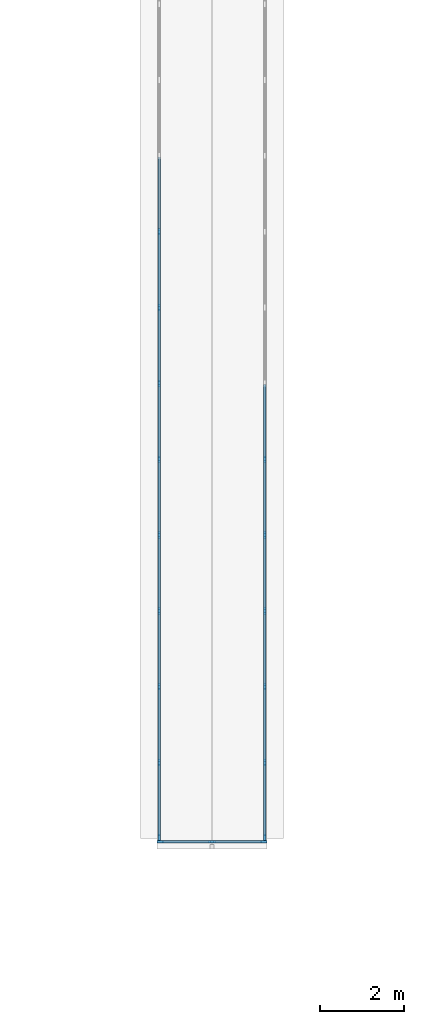
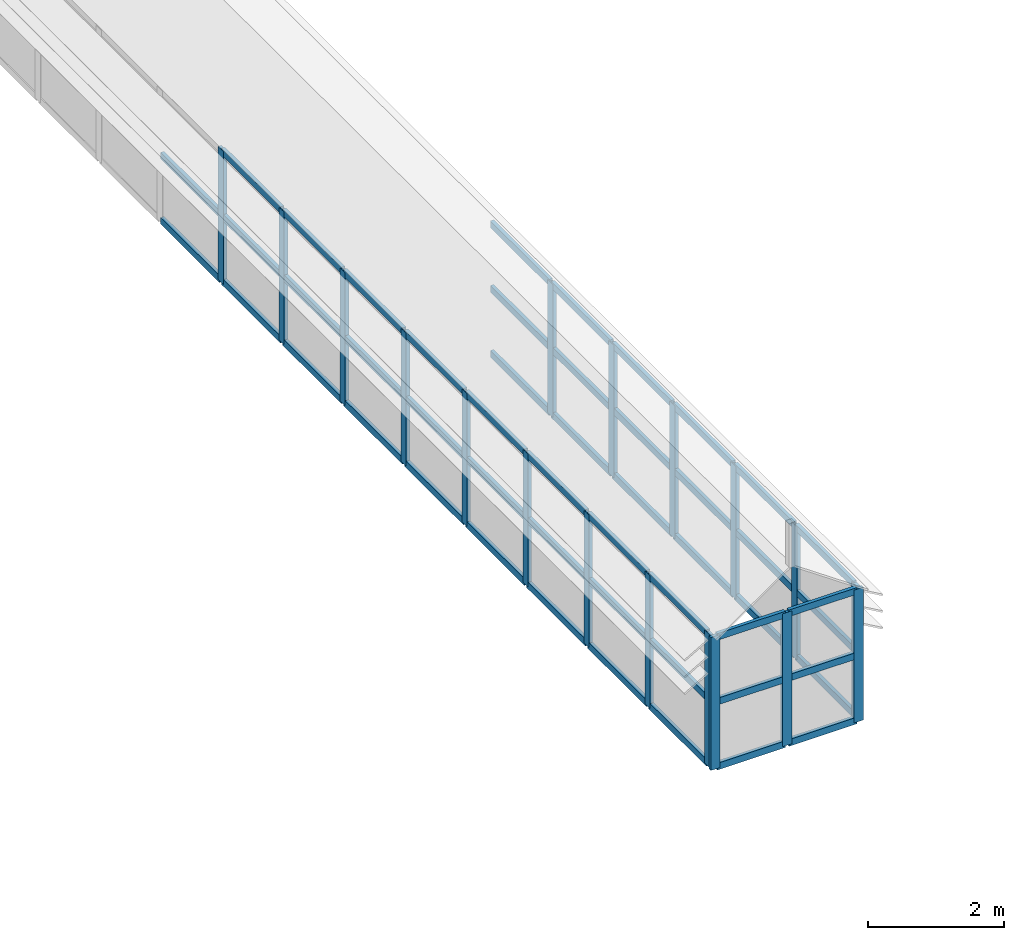
# One storey, part 4 of 28: 68 members, 3 elements without a shape of their own.
"""IFC4 building model written with IfcOpenShell, lengths in metres."""

import ifcopenshell
import ifcopenshell.guid

model = None  # the IFC model being written
_history = None  # IfcOwnerHistory: only IFC2X3 demands one
_inside = {}  # id of a spatial element -> (the spatial element, [elements in it])
_under = {}  # id of a project, library or spatial element -> (it, [spatial elements below it])
_declared = {}  # id of a project -> (the project, [libraries it declares])
_typed = {}  # id of a type object -> (the type object, [elements of that type])
_made_of = {}  # id of a material, layer set ... -> (it, [elements and type objects made of it])


def new_model(schema):
    """Start an empty IFC model of exactly this schema.

    Asked for "IFC4X3", IfcOpenShell would pick the latest addendum, in which some entities
    have other attributes; the version numbers below select the first issue.
    IFC2X3 requires an IfcOwnerHistory on every rooted entity: one is made here for all.
    """
    global model, _history
    if schema == "IFC4X3":
        model = ifcopenshell.file(schema_version=(4, 3, 0, 0))
    else:
        model = ifcopenshell.file(schema=schema)
    _inside.clear()
    _under.clear()
    _declared.clear()
    _typed.clear()
    _made_of.clear()
    _history = None
    if model.schema == "IFC2X3":
        org = make("IfcOrganization", Name="unknown")
        user = make(
            "IfcPersonAndOrganization",
            ThePerson=make("IfcPerson", FamilyName="unknown"),
            TheOrganization=org,
        )
        app = make(
            "IfcApplication",
            ApplicationDeveloper=org,
            Version="unknown",
            ApplicationFullName="unknown",
            ApplicationIdentifier="unknown",
        )
        _history = make(
            "IfcOwnerHistory",
            OwningUser=user,
            OwningApplication=app,
            ChangeAction="ADDED",
            CreationDate=0,
        )
    return model


def make(cls, **values):
    """One entity of the class cls with the attributes given. An attribute that is None is left unset."""
    return model.create_entity(
        cls, **{name: value for name, value in values.items() if value is not None}
    )


def rooted(cls, **values):
    """An entity with a GlobalId (a new one), such as an element, a storey or a relation."""
    return make(cls, GlobalId=ifcopenshell.guid.new(), OwnerHistory=_history, **values)


def si_unit(unit_type, name, prefix=None):
    """IfcSIUnit, for example si_unit("LENGTHUNIT", "METRE", prefix="MILLI")."""
    return make("IfcSIUnit", UnitType=unit_type, Prefix=prefix, Name=name)


def assignment(units):
    """IfcUnitAssignment: the units of a project."""
    return None if units is None else make("IfcUnitAssignment", Units=units)


def point(xyz):
    """IfcCartesianPoint."""
    return None if xyz is None else make("IfcCartesianPoint", Coordinates=xyz)


def direction(xyz):
    """IfcDirection."""
    return None if xyz is None else make("IfcDirection", DirectionRatios=xyz)


def frame(location, z_axis=None, x_axis=None):
    """IfcAxis2Placement3D, a coordinate frame: its origin and axes. An axis left out is left unset."""
    return make(
        "IfcAxis2Placement3D",
        Location=point(location),
        Axis=direction(z_axis),
        RefDirection=direction(x_axis),
    )


def frame_2d(location, x_axis=None):
    """IfcAxis2Placement2D, a coordinate frame in the plane: its origin and x axis."""
    return make(
        "IfcAxis2Placement2D", Location=point(location), RefDirection=direction(x_axis)
    )


def origin():
    """The frame at (0, 0, 0) with its axes left unset."""
    return frame((0.0, 0.0, 0.0))


def origin_2d():
    """The frame at (0, 0) in the plane with its x axis left unset."""
    return frame_2d((0.0, 0.0))


def place(relative_to, where):
    """IfcLocalPlacement: puts the frame where relative to a parent placement (None: the world)."""
    return make(
        "IfcLocalPlacement", PlacementRelTo=relative_to, RelativePlacement=where
    )


def context(
    kind, dimensions, precision=None, world=None, true_north=None, identifier=None
):
    """IfcGeometricRepresentationContext, for example the 3D "Model" context."""
    return make(
        "IfcGeometricRepresentationContext",
        ContextIdentifier=identifier,
        ContextType=kind,
        CoordinateSpaceDimension=dimensions,
        Precision=precision,
        WorldCoordinateSystem=world,
        TrueNorth=true_north,
    )


def subcontext(parent, identifier, kind, view, scale=None):
    """IfcGeometricRepresentationSubContext, for example "Body" below "Model"."""
    return make(
        "IfcGeometricRepresentationSubContext",
        ContextIdentifier=identifier,
        ContextType=kind,
        ParentContext=parent,
        TargetScale=scale,
        TargetView=view,
    )


def project(units=None, contexts=None):
    """IfcProject with its units and contexts."""
    return rooted(
        "IfcProject",
        Name="project",
        RepresentationContexts=contexts,
        UnitsInContext=assignment(units),
    )


def spatial(cls, under=None, at=None, **own):
    """A site, building, storey or space (cls), placed at a placement, below another one or the project."""
    s = rooted(cls, ObjectPlacement=at, **own)
    if under is not None:
        _under.setdefault(under.id(), (under, []))[1].append(s)
    return s


def profile(cls, at=None, kind="AREA", **sizes):
    """A parametric profile (cls). Its sizes go by their IFC names, for example OverallWidth=200.0."""
    return make(cls, ProfileType=kind, Position=at, **sizes)


def rectangle(**sizes):
    """IfcRectangleProfileDef."""
    return profile("IfcRectangleProfileDef", **sizes)


def extrude(swept, where, along, depth):
    """IfcExtrudedAreaSolid: the profile swept, set in the frame where, extruded along a direction by depth."""
    return make(
        "IfcExtrudedAreaSolid",
        SweptArea=swept,
        Position=where,
        ExtrudedDirection=direction(along),
        Depth=depth,
    )


def shape(context_of_items, identifier, shape_type, items):
    """IfcShapeRepresentation: the items that make up one representation, for example the "Body"."""
    return make(
        "IfcShapeRepresentation",
        ContextOfItems=context_of_items,
        RepresentationIdentifier=identifier,
        RepresentationType=shape_type,
        Items=items,
    )


def material(Name=None, Category=None):
    """IfcMaterial."""
    return make("IfcMaterial", Name=Name, Category=Category)


def layer(
    of_material, thickness, ventilated=None, Name=None, Category=None, Priority=None
):
    """IfcMaterialLayer: one layer of a wall or slab, of a material (None: an air gap)."""
    return make(
        "IfcMaterialLayer",
        Material=of_material,
        LayerThickness=thickness,
        IsVentilated=ventilated,
        Name=Name,
        Category=Category,
        Priority=Priority,
    )


def layer_set(layers, Name=None):
    """IfcMaterialLayerSet."""
    return make("IfcMaterialLayerSet", MaterialLayers=layers, LayerSetName=Name)


def material_profile(
    of_material, cross_section, Name=None, Category=None, Priority=None
):
    """IfcMaterialProfile: a cross section and its material."""
    return make(
        "IfcMaterialProfile",
        Name=Name,
        Material=of_material,
        Profile=cross_section,
        Priority=Priority,
        Category=Category,
    )


def profile_set(profiles, Name=None, composite=None):
    """IfcMaterialProfileSet."""
    return make(
        "IfcMaterialProfileSet",
        Name=Name,
        MaterialProfiles=profiles,
        CompositeProfile=composite,
    )


def made_of(thing, what):
    """Note that an element or type object is made of a material, layer set ...; save() writes the relation."""
    if what is not None:
        _made_of.setdefault(what.id(), (what, []))[1].append(thing)
    return thing


def type_object(cls, material=None, **own):
    """A type object (cls), such as IfcWallType, which elements share."""
    return made_of(rooted(cls, **own), material)


def element(
    cls,
    number,
    at=None,
    inside=None,
    cuts=None,
    type_object=None,
    material=None,
    context=None,
    identifier="Body",
    shape_type=None,
    held_by="IfcProductDefinitionShape",
    body=None,
    shapes=None,
    **own,
):
    """One element of the class cls, such as IfcWall. Its Tag is "e" and its number.

    at: its placement. inside: the storey or other place that contains it. cuts: it is an
    opening in that element (IfcRelVoidsElement). A single representation is given by context,
    identifier, shape_type and body (its items); several are given by shapes. held_by: the class
    of the entity that holds the representations. save() writes the other relations.
    """
    e = rooted(cls, Tag="e%d" % number, ObjectPlacement=at, **own)
    if body is not None:
        shapes = [shape(context, identifier, shape_type, body)]
    if shapes is not None:
        e.Representation = make(held_by, Representations=shapes)
    if inside is not None:
        _inside.setdefault(inside.id(), (inside, []))[1].append(e)
    if cuts is not None:
        rooted(
            "IfcRelVoidsElement", RelatingBuildingElement=cuts, RelatedOpeningElement=e
        )
    if type_object is not None:
        _typed.setdefault(type_object.id(), (type_object, []))[1].append(e)
    return made_of(e, material)


def aggregate(whole, parts):
    """IfcRelAggregates: a whole, such as a stair, and the parts it consists of."""
    return rooted("IfcRelAggregates", RelatingObject=whole, RelatedObjects=parts)


def save(model, path):
    """Write the relations noted so far, then the file.

    IfcRelAggregates (storeys below a building ...), IfcRelContainedInSpatialStructure (elements
    in a storey), IfcRelDefinesByType, IfcRelAssociatesMaterial and IfcRelDeclares: one each for
    every whole, place, type object, material and project.
    """
    for whole, parts in _under.values():
        aggregate(whole, parts)
    for where, things in _inside.values():
        rooted(
            "IfcRelContainedInSpatialStructure",
            RelatedElements=things,
            RelatingStructure=where,
        )
    for kind, things in _typed.values():
        rooted("IfcRelDefinesByType", RelatedObjects=things, RelatingType=kind)
    for what, things in _made_of.values():
        rooted("IfcRelAssociatesMaterial", RelatedObjects=things, RelatingMaterial=what)
    for by, libraries in _declared.values():
        rooted("IfcRelDeclares", RelatingContext=by, RelatedDefinitions=libraries)
    model.write(path)


model = new_model("IFC4")

# Units and contexts
model_context = context("Model", 3, precision=1e-05, world=origin(), true_north=direction((0.0, 1.0)))
body_context = subcontext(model_context, "Body", "Model", "MODEL_VIEW")
ifc_project = project(units=[si_unit("LENGTHUNIT", "METRE"), si_unit("AREAUNIT", "SQUARE_METRE"), si_unit("VOLUMEUNIT", "CUBIC_METRE"), si_unit("PLANEANGLEUNIT", "RADIAN"), si_unit("MASSUNIT", "GRAM", prefix="KILO")], contexts=[model_context])

# Site, building, storey
site_placement = place(None, origin())
site = spatial("IfcSite", under=ifc_project, at=site_placement, CompositionType="ELEMENT")
building_placement = place(site_placement, origin())
building = spatial("IfcBuilding", under=site, at=building_placement, Name="Mazhai Court Health Centre", CompositionType="ELEMENT")
storey_placement = place(building_placement, frame((0.0, 0.0, 18.0)))
storey = spatial("IfcBuildingStorey", under=building, at=storey_placement, Name="RF", CompositionType="ELEMENT", Elevation=18.0)

# Curtain wall, members
ifc_material_1 = material(Name="Teak timber frame, glazed", Category="wood")
ifc_layer_1 = layer(ifc_material_1, 0.10009765625)
ifc_layer_set_1 = layer_set([ifc_layer_1], Name="CURTAIN WALL TIMBER 1800")
curtain_wall_type_1 = type_object("IfcCurtainWallType", Name="CURTAIN WALL TIMBER 1800", PredefinedType="NOTDEFINED", material=ifc_layer_set_1)
curtain_wall_1_placement = place(storey_placement, origin())
curtain_wall_1 = element("IfcCurtainWall", 1, at=curtain_wall_1_placement, inside=storey, type_object=curtain_wall_type_1, Name="CW-V1-LSW", PredefinedType="NOTDEFINED")
ifc_material_2 = material(Name="Teak timber", Category="wood")
ifc_material_profile_1 = material_profile(ifc_material_2, rectangle(XDim=0.06005859375, YDim=0.159912109375, at=origin_2d()), Name="CW MULLION 60x160")
ifc_profile_set_1 = profile_set([ifc_material_profile_1], Name="Teak timber")
member_type_1 = type_object("IfcMemberType", Name="CW MULLION 60x160", PredefinedType="MULLION", material=ifc_profile_set_1)
member_1_placement = place(storey_placement, frame((51.75, 11.429931640625, 0.783935546875), z_axis=(0.0, 0.0, 1.0), x_axis=(-1.0, 0.0, 0.0)))
member_1 = element("IfcMember", 2, at=member_1_placement, type_object=member_type_1, Name="CW mullion 1", PredefinedType="MULLION", context=body_context, shape_type="SweptSolid", body=[
    extrude(rectangle(XDim=0.06005859375, YDim=0.159912109375, at=origin_2d()), origin(), (0.0, 0.0, 1.0), 2.39501953125),
])
member_2_placement = place(storey_placement, frame((51.75, 13.199951171875, 0.783935546875), z_axis=(0.0, 0.0, 1.0), x_axis=(-1.0, 0.0, 0.0)))
member_2 = element("IfcMember", 3, at=member_2_placement, type_object=member_type_1, Name="CW mullion 2", PredefinedType="MULLION", context=body_context, shape_type="SweptSolid", body=[
    extrude(rectangle(XDim=0.06005859375, YDim=0.159912109375, at=origin_2d()), origin(), (0.0, 0.0, 1.0), 2.39501953125),
])
member_3_placement = place(storey_placement, frame((51.75, 15.0, 0.783935546875), z_axis=(0.0, 0.0, 1.0), x_axis=(-1.0, 0.0, 0.0)))
member_3 = element("IfcMember", 4, at=member_3_placement, type_object=member_type_1, Name="CW mullion 3", PredefinedType="MULLION", context=body_context, shape_type="SweptSolid", body=[
    extrude(rectangle(XDim=0.06005859375, YDim=0.159912109375, at=origin_2d()), origin(), (0.0, 0.0, 1.0), 2.39501953125),
])
member_4_placement = place(storey_placement, frame((51.75, 16.800048828125, 0.783935546875), z_axis=(0.0, 0.0, 1.0), x_axis=(-1.0, 0.0, 0.0)))
member_4 = element("IfcMember", 5, at=member_4_placement, type_object=member_type_1, Name="CW mullion 4", PredefinedType="MULLION", context=body_context, shape_type="SweptSolid", body=[
    extrude(rectangle(XDim=0.06005859375, YDim=0.159912109375, at=origin_2d()), origin(), (0.0, 0.0, 1.0), 2.39501953125),
])
member_5_placement = place(storey_placement, frame((51.75, 18.60009765625, 0.783935546875), z_axis=(0.0, 0.0, 1.0), x_axis=(-1.0, 0.0, 0.0)))
member_5 = element("IfcMember", 6, at=member_5_placement, type_object=member_type_1, Name="CW mullion 5", PredefinedType="MULLION", context=body_context, shape_type="SweptSolid", body=[
    extrude(rectangle(XDim=0.06005859375, YDim=0.159912109375, at=origin_2d()), origin(), (0.0, 0.0, 1.0), 2.39501953125),
])
member_6_placement = place(storey_placement, frame((51.75, 20.39990234375, 0.783935546875), z_axis=(0.0, 0.0, 1.0), x_axis=(-1.0, 0.0, 0.0)))
member_6 = element("IfcMember", 7, at=member_6_placement, type_object=member_type_1, Name="CW mullion 6", PredefinedType="MULLION", context=body_context, shape_type="SweptSolid", body=[
    extrude(rectangle(XDim=0.06005859375, YDim=0.159912109375, at=origin_2d()), origin(), (0.0, 0.0, 1.0), 2.39501953125),
])
member_7_placement = place(storey_placement, frame((51.75, 22.199951171875, 0.783935546875), z_axis=(0.0, 0.0, 1.0), x_axis=(-1.0, 0.0, 0.0)))
member_7 = element("IfcMember", 8, at=member_7_placement, type_object=member_type_1, Name="CW mullion 7", PredefinedType="MULLION", context=body_context, shape_type="SweptSolid", body=[
    extrude(rectangle(XDim=0.06005859375, YDim=0.159912109375, at=origin_2d()), origin(), (0.0, 0.0, 1.0), 2.39501953125),
])
member_8_placement = place(storey_placement, frame((51.75, 24.0, 0.783935546875), z_axis=(0.0, 0.0, 1.0), x_axis=(-1.0, 0.0, 0.0)))
member_8 = element("IfcMember", 9, at=member_8_placement, type_object=member_type_1, Name="CW mullion 8", PredefinedType="MULLION", context=body_context, shape_type="SweptSolid", body=[
    extrude(rectangle(XDim=0.06005859375, YDim=0.159912109375, at=origin_2d()), origin(), (0.0, 0.0, 1.0), 2.39501953125),
])
member_9_placement = place(storey_placement, frame((51.75, 25.800048828125, 0.783935546875), z_axis=(0.0, 0.0, 1.0), x_axis=(-1.0, 0.0, 0.0)))
member_9 = element("IfcMember", 10, at=member_9_placement, type_object=member_type_1, Name="CW mullion 9", PredefinedType="MULLION", context=body_context, shape_type="SweptSolid", body=[
    extrude(rectangle(XDim=0.06005859375, YDim=0.159912109375, at=origin_2d()), origin(), (0.0, 0.0, 1.0), 2.39501953125),
])

curtain_wall_2_placement = place(storey_placement, origin())
curtain_wall_2 = element("IfcCurtainWall", 11, at=curtain_wall_2_placement, inside=storey, type_object=curtain_wall_type_1, Name="CW-V1-LSE", PredefinedType="NOTDEFINED")
member_10_placement = place(storey_placement, frame((54.25, 20.39990234375, 0.783935546875), z_axis=(0.0, 0.0, 1.0), x_axis=(1.0, 0.0, 0.0)))
member_10 = element("IfcMember", 12, at=member_10_placement, type_object=member_type_1, Name="CW mullion 22", PredefinedType="MULLION", context=body_context, shape_type="SweptSolid", body=[
    extrude(rectangle(XDim=0.06005859375, YDim=0.159912109375, at=origin_2d()), origin(), (0.0, 0.0, 1.0), 2.39501953125),
])
member_11_placement = place(storey_placement, frame((54.25, 18.60009765625, 0.783935546875), z_axis=(0.0, 0.0, 1.0), x_axis=(1.0, 0.0, 0.0)))
member_11 = element("IfcMember", 13, at=member_11_placement, type_object=member_type_1, Name="CW mullion 23", PredefinedType="MULLION", context=body_context, shape_type="SweptSolid", body=[
    extrude(rectangle(XDim=0.06005859375, YDim=0.159912109375, at=origin_2d()), origin(), (0.0, 0.0, 1.0), 2.39501953125),
])
member_12_placement = place(storey_placement, frame((54.25, 16.800048828125, 0.783935546875), z_axis=(0.0, 0.0, 1.0), x_axis=(1.0, 0.0, 0.0)))
member_12 = element("IfcMember", 14, at=member_12_placement, type_object=member_type_1, Name="CW mullion 24", PredefinedType="MULLION", context=body_context, shape_type="SweptSolid", body=[
    extrude(rectangle(XDim=0.06005859375, YDim=0.159912109375, at=origin_2d()), origin(), (0.0, 0.0, 1.0), 2.39501953125),
])
member_13_placement = place(storey_placement, frame((54.25, 15.0, 0.783935546875), z_axis=(0.0, 0.0, 1.0), x_axis=(1.0, 0.0, 0.0)))
member_13 = element("IfcMember", 15, at=member_13_placement, type_object=member_type_1, Name="CW mullion 25", PredefinedType="MULLION", context=body_context, shape_type="SweptSolid", body=[
    extrude(rectangle(XDim=0.06005859375, YDim=0.159912109375, at=origin_2d()), origin(), (0.0, 0.0, 1.0), 2.39501953125),
])
member_14_placement = place(storey_placement, frame((54.25, 13.199951171875, 0.783935546875), z_axis=(0.0, 0.0, 1.0), x_axis=(1.0, 0.0, 0.0)))
member_14 = element("IfcMember", 16, at=member_14_placement, type_object=member_type_1, Name="CW mullion 26", PredefinedType="MULLION", context=body_context, shape_type="SweptSolid", body=[
    extrude(rectangle(XDim=0.06005859375, YDim=0.159912109375, at=origin_2d()), origin(), (0.0, 0.0, 1.0), 2.39501953125),
])
member_15_placement = place(storey_placement, frame((54.25, 11.429931640625, 0.783935546875), z_axis=(0.0, 0.0, 1.0), x_axis=(1.0, 0.0, 0.0)))
member_15 = element("IfcMember", 17, at=member_15_placement, type_object=member_type_1, Name="CW mullion 27", PredefinedType="MULLION", context=body_context, shape_type="SweptSolid", body=[
    extrude(rectangle(XDim=0.06005859375, YDim=0.159912109375, at=origin_2d()), origin(), (0.0, 0.0, 1.0), 2.39501953125),
])

ifc_material_3 = material(Name="Teak timber frame, glazed", Category="wood")
ifc_layer_2 = layer(ifc_material_3, 0.10009765625)
ifc_layer_set_2 = layer_set([ifc_layer_2], Name="CURTAIN WALL TIMBER 1200")
curtain_wall_type_2 = type_object("IfcCurtainWallType", Name="CURTAIN WALL TIMBER 1200", PredefinedType="NOTDEFINED", material=ifc_layer_set_2)
curtain_wall_3_placement = place(storey_placement, origin())
curtain_wall_3 = element("IfcCurtainWall", 18, at=curtain_wall_3_placement, inside=storey, type_object=curtain_wall_type_2, Name="CW-V1-LCS", PredefinedType="NOTDEFINED")
member_16_placement = place(storey_placement, frame((54.219970703125, 11.324951171875, 0.783935546875), z_axis=(0.0, 0.0, 1.0), x_axis=(0.0, -1.0, 0.0)))
member_16 = element("IfcMember", 19, at=member_16_placement, type_object=member_type_1, Name="CW mullion 1", PredefinedType="MULLION", context=body_context, shape_type="SweptSolid", body=[
    extrude(rectangle(XDim=0.06005859375, YDim=0.159912109375, at=origin_2d()), origin(), (0.0, 0.0, 1.0), 2.39501953125),
])
member_17_placement = place(storey_placement, frame((53.0, 11.324951171875, 0.783935546875), z_axis=(0.0, 0.0, 1.0), x_axis=(0.0, -1.0, 0.0)))
member_17 = element("IfcMember", 20, at=member_17_placement, type_object=member_type_1, Name="CW mullion 2", PredefinedType="MULLION", context=body_context, shape_type="SweptSolid", body=[
    extrude(rectangle(XDim=0.06005859375, YDim=0.159912109375, at=origin_2d()), origin(), (0.0, 0.0, 1.0), 2.39501953125),
])
member_18_placement = place(storey_placement, frame((51.780029296875, 11.324951171875, 0.783935546875), z_axis=(0.0, 0.0, 1.0), x_axis=(0.0, -1.0, 0.0)))
member_18 = element("IfcMember", 21, at=member_18_placement, type_object=member_type_1, Name="CW mullion 3", PredefinedType="MULLION", context=body_context, shape_type="SweptSolid", body=[
    extrude(rectangle(XDim=0.06005859375, YDim=0.159912109375, at=origin_2d()), origin(), (0.0, 0.0, 1.0), 2.39501953125),
])

# Member
ifc_material_4 = material(Name="Teak timber", Category="wood")
ifc_material_profile_2 = material_profile(ifc_material_4, rectangle(XDim=0.06005859375, YDim=0.1201171875, at=origin_2d()), Name="CW TRANSOM 60x120")
ifc_profile_set_2 = profile_set([ifc_material_profile_2], Name="Teak timber")
member_type_2 = type_object("IfcMemberType", Name="CW TRANSOM 60x120", PredefinedType="USERDEFINED", material=ifc_profile_set_2)
member_19_placement = place(storey_placement, frame((51.75, 11.4599609375, 0.81396484375), z_axis=(0.0, 1.0, 0.0), x_axis=(-1.0, 0.0, 0.0)))
member_19 = element("IfcMember", 22, at=member_19_placement, type_object=member_type_2, Name="CW transom 1.1", ObjectType="TRANSOM", PredefinedType="USERDEFINED", context=body_context, shape_type="SweptSolid", body=[
    extrude(rectangle(XDim=0.06005859375, YDim=0.1201171875, at=origin_2d()), origin(), (0.0, 0.0, 1.0), 1.7099609375),
])

member_20_placement = place(storey_placement, frame((51.75, 11.4599609375, 1.98388671875), z_axis=(0.0, 1.0, 0.0), x_axis=(-1.0, 0.0, 0.0)))
member_20 = element("IfcMember", 23, at=member_20_placement, type_object=member_type_2, Name="CW transom 1.2", ObjectType="TRANSOM", PredefinedType="USERDEFINED", context=body_context, shape_type="SweptSolid", body=[
    extrude(rectangle(XDim=0.06005859375, YDim=0.1201171875, at=origin_2d()), origin(), (0.0, 0.0, 1.0), 1.7099609375),
])

member_21_placement = place(storey_placement, frame((51.75, 11.4599609375, 3.14892578125), z_axis=(0.0, 1.0, 0.0), x_axis=(-1.0, 0.0, 0.0)))
member_21 = element("IfcMember", 24, at=member_21_placement, type_object=member_type_2, Name="CW transom 1.3", ObjectType="TRANSOM", PredefinedType="USERDEFINED", context=body_context, shape_type="SweptSolid", body=[
    extrude(rectangle(XDim=0.06005859375, YDim=0.1201171875, at=origin_2d()), origin(), (0.0, 0.0, 1.0), 1.7099609375),
])

member_22_placement = place(storey_placement, frame((51.75, 13.22998046875, 0.81396484375), z_axis=(0.0, 1.0, 0.0), x_axis=(-1.0, 0.0, 0.0)))
member_22 = element("IfcMember", 25, at=member_22_placement, type_object=member_type_2, Name="CW transom 2.1", ObjectType="TRANSOM", PredefinedType="USERDEFINED", context=body_context, shape_type="SweptSolid", body=[
    extrude(rectangle(XDim=0.06005859375, YDim=0.1201171875, at=origin_2d()), origin(), (0.0, 0.0, 1.0), 1.739990234375),
])

member_23_placement = place(storey_placement, frame((51.75, 13.22998046875, 1.98388671875), z_axis=(0.0, 1.0, 0.0), x_axis=(-1.0, 0.0, 0.0)))
member_23 = element("IfcMember", 26, at=member_23_placement, type_object=member_type_2, Name="CW transom 2.2", ObjectType="TRANSOM", PredefinedType="USERDEFINED", context=body_context, shape_type="SweptSolid", body=[
    extrude(rectangle(XDim=0.06005859375, YDim=0.1201171875, at=origin_2d()), origin(), (0.0, 0.0, 1.0), 1.739990234375),
])

member_24_placement = place(storey_placement, frame((51.75, 13.22998046875, 3.14892578125), z_axis=(0.0, 1.0, 0.0), x_axis=(-1.0, 0.0, 0.0)))
member_24 = element("IfcMember", 27, at=member_24_placement, type_object=member_type_2, Name="CW transom 2.3", ObjectType="TRANSOM", PredefinedType="USERDEFINED", context=body_context, shape_type="SweptSolid", body=[
    extrude(rectangle(XDim=0.06005859375, YDim=0.1201171875, at=origin_2d()), origin(), (0.0, 0.0, 1.0), 1.739990234375),
])

member_25_placement = place(storey_placement, frame((51.75, 15.030029296875, 0.81396484375), z_axis=(0.0, 1.0, 0.0), x_axis=(-1.0, 0.0, 0.0)))
member_25 = element("IfcMember", 28, at=member_25_placement, type_object=member_type_2, Name="CW transom 3.1", ObjectType="TRANSOM", PredefinedType="USERDEFINED", context=body_context, shape_type="SweptSolid", body=[
    extrude(rectangle(XDim=0.06005859375, YDim=0.1201171875, at=origin_2d()), origin(), (0.0, 0.0, 1.0), 1.739990234375),
])

member_26_placement = place(storey_placement, frame((51.75, 15.030029296875, 1.98388671875), z_axis=(0.0, 1.0, 0.0), x_axis=(-1.0, 0.0, 0.0)))
member_26 = element("IfcMember", 29, at=member_26_placement, type_object=member_type_2, Name="CW transom 3.2", ObjectType="TRANSOM", PredefinedType="USERDEFINED", context=body_context, shape_type="SweptSolid", body=[
    extrude(rectangle(XDim=0.06005859375, YDim=0.1201171875, at=origin_2d()), origin(), (0.0, 0.0, 1.0), 1.739990234375),
])

member_27_placement = place(storey_placement, frame((51.75, 15.030029296875, 3.14892578125), z_axis=(0.0, 1.0, 0.0), x_axis=(-1.0, 0.0, 0.0)))
member_27 = element("IfcMember", 30, at=member_27_placement, type_object=member_type_2, Name="CW transom 3.3", ObjectType="TRANSOM", PredefinedType="USERDEFINED", context=body_context, shape_type="SweptSolid", body=[
    extrude(rectangle(XDim=0.06005859375, YDim=0.1201171875, at=origin_2d()), origin(), (0.0, 0.0, 1.0), 1.739990234375),
])

member_28_placement = place(storey_placement, frame((51.75, 16.830078125, 0.81396484375), z_axis=(0.0, 1.0, 0.0), x_axis=(-1.0, 0.0, 0.0)))
member_28 = element("IfcMember", 31, at=member_28_placement, type_object=member_type_2, Name="CW transom 4.1", ObjectType="TRANSOM", PredefinedType="USERDEFINED", context=body_context, shape_type="SweptSolid", body=[
    extrude(rectangle(XDim=0.06005859375, YDim=0.1201171875, at=origin_2d()), origin(), (0.0, 0.0, 1.0), 1.739990234375),
])

member_29_placement = place(storey_placement, frame((51.75, 16.830078125, 1.98388671875), z_axis=(0.0, 1.0, 0.0), x_axis=(-1.0, 0.0, 0.0)))
member_29 = element("IfcMember", 32, at=member_29_placement, type_object=member_type_2, Name="CW transom 4.2", ObjectType="TRANSOM", PredefinedType="USERDEFINED", context=body_context, shape_type="SweptSolid", body=[
    extrude(rectangle(XDim=0.06005859375, YDim=0.1201171875, at=origin_2d()), origin(), (0.0, 0.0, 1.0), 1.739990234375),
])

member_30_placement = place(storey_placement, frame((51.75, 16.830078125, 3.14892578125), z_axis=(0.0, 1.0, 0.0), x_axis=(-1.0, 0.0, 0.0)))
member_30 = element("IfcMember", 33, at=member_30_placement, type_object=member_type_2, Name="CW transom 4.3", ObjectType="TRANSOM", PredefinedType="USERDEFINED", context=body_context, shape_type="SweptSolid", body=[
    extrude(rectangle(XDim=0.06005859375, YDim=0.1201171875, at=origin_2d()), origin(), (0.0, 0.0, 1.0), 1.739990234375),
])

member_31_placement = place(storey_placement, frame((51.75, 18.6298828125, 0.81396484375), z_axis=(0.0, 1.0, 0.0), x_axis=(-1.0, 0.0, 0.0)))
member_31 = element("IfcMember", 34, at=member_31_placement, type_object=member_type_2, Name="CW transom 5.1", ObjectType="TRANSOM", PredefinedType="USERDEFINED", context=body_context, shape_type="SweptSolid", body=[
    extrude(rectangle(XDim=0.06005859375, YDim=0.1201171875, at=origin_2d()), origin(), (0.0, 0.0, 1.0), 1.740234375),
])

member_32_placement = place(storey_placement, frame((51.75, 18.6298828125, 1.98388671875), z_axis=(0.0, 1.0, 0.0), x_axis=(-1.0, 0.0, 0.0)))
member_32 = element("IfcMember", 35, at=member_32_placement, type_object=member_type_2, Name="CW transom 5.2", ObjectType="TRANSOM", PredefinedType="USERDEFINED", context=body_context, shape_type="SweptSolid", body=[
    extrude(rectangle(XDim=0.06005859375, YDim=0.1201171875, at=origin_2d()), origin(), (0.0, 0.0, 1.0), 1.740234375),
])

member_33_placement = place(storey_placement, frame((51.75, 18.6298828125, 3.14892578125), z_axis=(0.0, 1.0, 0.0), x_axis=(-1.0, 0.0, 0.0)))
member_33 = element("IfcMember", 36, at=member_33_placement, type_object=member_type_2, Name="CW transom 5.3", ObjectType="TRANSOM", PredefinedType="USERDEFINED", context=body_context, shape_type="SweptSolid", body=[
    extrude(rectangle(XDim=0.06005859375, YDim=0.1201171875, at=origin_2d()), origin(), (0.0, 0.0, 1.0), 1.740234375),
])

member_34_placement = place(storey_placement, frame((51.75, 20.429931640625, 0.81396484375), z_axis=(0.0, 1.0, 0.0), x_axis=(-1.0, 0.0, 0.0)))
member_34 = element("IfcMember", 37, at=member_34_placement, type_object=member_type_2, Name="CW transom 6.1", ObjectType="TRANSOM", PredefinedType="USERDEFINED", context=body_context, shape_type="SweptSolid", body=[
    extrude(rectangle(XDim=0.06005859375, YDim=0.1201171875, at=origin_2d()), origin(), (0.0, 0.0, 1.0), 1.739990234375),
])

member_35_placement = place(storey_placement, frame((51.75, 20.429931640625, 1.98388671875), z_axis=(0.0, 1.0, 0.0), x_axis=(-1.0, 0.0, 0.0)))
member_35 = element("IfcMember", 38, at=member_35_placement, type_object=member_type_2, Name="CW transom 6.2", ObjectType="TRANSOM", PredefinedType="USERDEFINED", context=body_context, shape_type="SweptSolid", body=[
    extrude(rectangle(XDim=0.06005859375, YDim=0.1201171875, at=origin_2d()), origin(), (0.0, 0.0, 1.0), 1.739990234375),
])

member_36_placement = place(storey_placement, frame((51.75, 20.429931640625, 3.14892578125), z_axis=(0.0, 1.0, 0.0), x_axis=(-1.0, 0.0, 0.0)))
member_36 = element("IfcMember", 39, at=member_36_placement, type_object=member_type_2, Name="CW transom 6.3", ObjectType="TRANSOM", PredefinedType="USERDEFINED", context=body_context, shape_type="SweptSolid", body=[
    extrude(rectangle(XDim=0.06005859375, YDim=0.1201171875, at=origin_2d()), origin(), (0.0, 0.0, 1.0), 1.739990234375),
])

member_37_placement = place(storey_placement, frame((51.75, 22.22998046875, 0.81396484375), z_axis=(0.0, 1.0, 0.0), x_axis=(-1.0, 0.0, 0.0)))
member_37 = element("IfcMember", 40, at=member_37_placement, type_object=member_type_2, Name="CW transom 7.1", ObjectType="TRANSOM", PredefinedType="USERDEFINED", context=body_context, shape_type="SweptSolid", body=[
    extrude(rectangle(XDim=0.06005859375, YDim=0.1201171875, at=origin_2d()), origin(), (0.0, 0.0, 1.0), 1.739990234375),
])

member_38_placement = place(storey_placement, frame((51.75, 22.22998046875, 1.98388671875), z_axis=(0.0, 1.0, 0.0), x_axis=(-1.0, 0.0, 0.0)))
member_38 = element("IfcMember", 41, at=member_38_placement, type_object=member_type_2, Name="CW transom 7.2", ObjectType="TRANSOM", PredefinedType="USERDEFINED", context=body_context, shape_type="SweptSolid", body=[
    extrude(rectangle(XDim=0.06005859375, YDim=0.1201171875, at=origin_2d()), origin(), (0.0, 0.0, 1.0), 1.739990234375),
])

member_39_placement = place(storey_placement, frame((51.75, 22.22998046875, 3.14892578125), z_axis=(0.0, 1.0, 0.0), x_axis=(-1.0, 0.0, 0.0)))
member_39 = element("IfcMember", 42, at=member_39_placement, type_object=member_type_2, Name="CW transom 7.3", ObjectType="TRANSOM", PredefinedType="USERDEFINED", context=body_context, shape_type="SweptSolid", body=[
    extrude(rectangle(XDim=0.06005859375, YDim=0.1201171875, at=origin_2d()), origin(), (0.0, 0.0, 1.0), 1.739990234375),
])

member_40_placement = place(storey_placement, frame((51.75, 24.030029296875, 0.81396484375), z_axis=(0.0, 1.0, 0.0), x_axis=(-1.0, 0.0, 0.0)))
member_40 = element("IfcMember", 43, at=member_40_placement, type_object=member_type_2, Name="CW transom 8.1", ObjectType="TRANSOM", PredefinedType="USERDEFINED", context=body_context, shape_type="SweptSolid", body=[
    extrude(rectangle(XDim=0.06005859375, YDim=0.1201171875, at=origin_2d()), origin(), (0.0, 0.0, 1.0), 1.739990234375),
])

member_41_placement = place(storey_placement, frame((51.75, 24.030029296875, 1.98388671875), z_axis=(0.0, 1.0, 0.0), x_axis=(-1.0, 0.0, 0.0)))
member_41 = element("IfcMember", 44, at=member_41_placement, type_object=member_type_2, Name="CW transom 8.2", ObjectType="TRANSOM", PredefinedType="USERDEFINED", context=body_context, shape_type="SweptSolid", body=[
    extrude(rectangle(XDim=0.06005859375, YDim=0.1201171875, at=origin_2d()), origin(), (0.0, 0.0, 1.0), 1.739990234375),
])

member_42_placement = place(storey_placement, frame((51.75, 24.030029296875, 3.14892578125), z_axis=(0.0, 1.0, 0.0), x_axis=(-1.0, 0.0, 0.0)))
member_42 = element("IfcMember", 45, at=member_42_placement, type_object=member_type_2, Name="CW transom 8.3", ObjectType="TRANSOM", PredefinedType="USERDEFINED", context=body_context, shape_type="SweptSolid", body=[
    extrude(rectangle(XDim=0.06005859375, YDim=0.1201171875, at=origin_2d()), origin(), (0.0, 0.0, 1.0), 1.739990234375),
])

member_43_placement = place(storey_placement, frame((51.75, 25.830078125, 0.81396484375), z_axis=(0.0, 1.0, 0.0), x_axis=(-1.0, 0.0, 0.0)))
member_43 = element("IfcMember", 46, at=member_43_placement, type_object=member_type_2, Name="CW transom 9.1", ObjectType="TRANSOM", PredefinedType="USERDEFINED", context=body_context, shape_type="SweptSolid", body=[
    extrude(rectangle(XDim=0.06005859375, YDim=0.1201171875, at=origin_2d()), origin(), (0.0, 0.0, 1.0), 1.739990234375),
])

member_44_placement = place(storey_placement, frame((51.75, 25.830078125, 1.98388671875), z_axis=(0.0, 1.0, 0.0), x_axis=(-1.0, 0.0, 0.0)))
member_44 = element("IfcMember", 47, at=member_44_placement, type_object=member_type_2, Name="CW transom 9.2", ObjectType="TRANSOM", PredefinedType="USERDEFINED", context=body_context, shape_type="SweptSolid", body=[
    extrude(rectangle(XDim=0.06005859375, YDim=0.1201171875, at=origin_2d()), origin(), (0.0, 0.0, 1.0), 1.739990234375),
])

aggregate(curtain_wall_1, [member_1, member_2, member_3, member_4, member_5, member_6, member_7, member_8, member_9, member_19, member_20, member_21, member_22, member_23, member_24, member_25, member_26, member_27, member_28, member_29, member_30, member_31, member_32, member_33, member_34, member_35, member_36, member_37, member_38, member_39, member_40, member_41, member_42, member_43, member_44])

member_45_placement = place(storey_placement, frame((54.25, 22.169921875, 0.81396484375), z_axis=(0.0, -1.0, 0.0), x_axis=(1.0, 0.0, 0.0)))
member_45 = element("IfcMember", 48, at=member_45_placement, type_object=member_type_2, Name="CW transom 21.1", ObjectType="TRANSOM", PredefinedType="USERDEFINED", context=body_context, shape_type="SweptSolid", body=[
    extrude(rectangle(XDim=0.06005859375, YDim=0.1201171875, at=origin_2d()), origin(), (0.0, 0.0, 1.0), 1.739990234375),
])

member_46_placement = place(storey_placement, frame((54.25, 22.169921875, 1.98388671875), z_axis=(0.0, -1.0, 0.0), x_axis=(1.0, 0.0, 0.0)))
member_46 = element("IfcMember", 49, at=member_46_placement, type_object=member_type_2, Name="CW transom 21.2", ObjectType="TRANSOM", PredefinedType="USERDEFINED", context=body_context, shape_type="SweptSolid", body=[
    extrude(rectangle(XDim=0.06005859375, YDim=0.1201171875, at=origin_2d()), origin(), (0.0, 0.0, 1.0), 1.739990234375),
])

member_47_placement = place(storey_placement, frame((54.25, 22.169921875, 3.14892578125), z_axis=(0.0, -1.0, 0.0), x_axis=(1.0, 0.0, 0.0)))
member_47 = element("IfcMember", 50, at=member_47_placement, type_object=member_type_2, Name="CW transom 21.3", ObjectType="TRANSOM", PredefinedType="USERDEFINED", context=body_context, shape_type="SweptSolid", body=[
    extrude(rectangle(XDim=0.06005859375, YDim=0.1201171875, at=origin_2d()), origin(), (0.0, 0.0, 1.0), 1.739990234375),
])

member_48_placement = place(storey_placement, frame((54.25, 20.3701171875, 0.81396484375), z_axis=(0.0, -1.0, 0.0), x_axis=(1.0, 0.0, 0.0)))
member_48 = element("IfcMember", 51, at=member_48_placement, type_object=member_type_2, Name="CW transom 22.1", ObjectType="TRANSOM", PredefinedType="USERDEFINED", context=body_context, shape_type="SweptSolid", body=[
    extrude(rectangle(XDim=0.06005859375, YDim=0.1201171875, at=origin_2d()), origin(), (0.0, 0.0, 1.0), 1.740234375),
])

member_49_placement = place(storey_placement, frame((54.25, 20.3701171875, 1.98388671875), z_axis=(0.0, -1.0, 0.0), x_axis=(1.0, 0.0, 0.0)))
member_49 = element("IfcMember", 52, at=member_49_placement, type_object=member_type_2, Name="CW transom 22.2", ObjectType="TRANSOM", PredefinedType="USERDEFINED", context=body_context, shape_type="SweptSolid", body=[
    extrude(rectangle(XDim=0.06005859375, YDim=0.1201171875, at=origin_2d()), origin(), (0.0, 0.0, 1.0), 1.740234375),
])

member_50_placement = place(storey_placement, frame((54.25, 20.3701171875, 3.14892578125), z_axis=(0.0, -1.0, 0.0), x_axis=(1.0, 0.0, 0.0)))
member_50 = element("IfcMember", 53, at=member_50_placement, type_object=member_type_2, Name="CW transom 22.3", ObjectType="TRANSOM", PredefinedType="USERDEFINED", context=body_context, shape_type="SweptSolid", body=[
    extrude(rectangle(XDim=0.06005859375, YDim=0.1201171875, at=origin_2d()), origin(), (0.0, 0.0, 1.0), 1.740234375),
])

member_51_placement = place(storey_placement, frame((54.25, 18.570068359375, 0.81396484375), z_axis=(0.0, -1.0, 0.0), x_axis=(1.0, 0.0, 0.0)))
member_51 = element("IfcMember", 54, at=member_51_placement, type_object=member_type_2, Name="CW transom 23.1", ObjectType="TRANSOM", PredefinedType="USERDEFINED", context=body_context, shape_type="SweptSolid", body=[
    extrude(rectangle(XDim=0.06005859375, YDim=0.1201171875, at=origin_2d()), origin(), (0.0, 0.0, 1.0), 1.739990234375),
])

member_52_placement = place(storey_placement, frame((54.25, 18.570068359375, 1.98388671875), z_axis=(0.0, -1.0, 0.0), x_axis=(1.0, 0.0, 0.0)))
member_52 = element("IfcMember", 55, at=member_52_placement, type_object=member_type_2, Name="CW transom 23.2", ObjectType="TRANSOM", PredefinedType="USERDEFINED", context=body_context, shape_type="SweptSolid", body=[
    extrude(rectangle(XDim=0.06005859375, YDim=0.1201171875, at=origin_2d()), origin(), (0.0, 0.0, 1.0), 1.739990234375),
])

member_53_placement = place(storey_placement, frame((54.25, 18.570068359375, 3.14892578125), z_axis=(0.0, -1.0, 0.0), x_axis=(1.0, 0.0, 0.0)))
member_53 = element("IfcMember", 56, at=member_53_placement, type_object=member_type_2, Name="CW transom 23.3", ObjectType="TRANSOM", PredefinedType="USERDEFINED", context=body_context, shape_type="SweptSolid", body=[
    extrude(rectangle(XDim=0.06005859375, YDim=0.1201171875, at=origin_2d()), origin(), (0.0, 0.0, 1.0), 1.739990234375),
])

member_54_placement = place(storey_placement, frame((54.25, 16.77001953125, 0.81396484375), z_axis=(0.0, -1.0, 0.0), x_axis=(1.0, 0.0, 0.0)))
member_54 = element("IfcMember", 57, at=member_54_placement, type_object=member_type_2, Name="CW transom 24.1", ObjectType="TRANSOM", PredefinedType="USERDEFINED", context=body_context, shape_type="SweptSolid", body=[
    extrude(rectangle(XDim=0.06005859375, YDim=0.1201171875, at=origin_2d()), origin(), (0.0, 0.0, 1.0), 1.739990234375),
])

member_55_placement = place(storey_placement, frame((54.25, 16.77001953125, 1.98388671875), z_axis=(0.0, -1.0, 0.0), x_axis=(1.0, 0.0, 0.0)))
member_55 = element("IfcMember", 58, at=member_55_placement, type_object=member_type_2, Name="CW transom 24.2", ObjectType="TRANSOM", PredefinedType="USERDEFINED", context=body_context, shape_type="SweptSolid", body=[
    extrude(rectangle(XDim=0.06005859375, YDim=0.1201171875, at=origin_2d()), origin(), (0.0, 0.0, 1.0), 1.739990234375),
])

member_56_placement = place(storey_placement, frame((54.25, 16.77001953125, 3.14892578125), z_axis=(0.0, -1.0, 0.0), x_axis=(1.0, 0.0, 0.0)))
member_56 = element("IfcMember", 59, at=member_56_placement, type_object=member_type_2, Name="CW transom 24.3", ObjectType="TRANSOM", PredefinedType="USERDEFINED", context=body_context, shape_type="SweptSolid", body=[
    extrude(rectangle(XDim=0.06005859375, YDim=0.1201171875, at=origin_2d()), origin(), (0.0, 0.0, 1.0), 1.739990234375),
])

member_57_placement = place(storey_placement, frame((54.25, 14.969970703125, 0.81396484375), z_axis=(0.0, -1.0, 0.0), x_axis=(1.0, 0.0, 0.0)))
member_57 = element("IfcMember", 60, at=member_57_placement, type_object=member_type_2, Name="CW transom 25.1", ObjectType="TRANSOM", PredefinedType="USERDEFINED", context=body_context, shape_type="SweptSolid", body=[
    extrude(rectangle(XDim=0.06005859375, YDim=0.1201171875, at=origin_2d()), origin(), (0.0, 0.0, 1.0), 1.739990234375),
])

member_58_placement = place(storey_placement, frame((54.25, 14.969970703125, 1.98388671875), z_axis=(0.0, -1.0, 0.0), x_axis=(1.0, 0.0, 0.0)))
member_58 = element("IfcMember", 61, at=member_58_placement, type_object=member_type_2, Name="CW transom 25.2", ObjectType="TRANSOM", PredefinedType="USERDEFINED", context=body_context, shape_type="SweptSolid", body=[
    extrude(rectangle(XDim=0.06005859375, YDim=0.1201171875, at=origin_2d()), origin(), (0.0, 0.0, 1.0), 1.739990234375),
])

member_59_placement = place(storey_placement, frame((54.25, 14.969970703125, 3.14892578125), z_axis=(0.0, -1.0, 0.0), x_axis=(1.0, 0.0, 0.0)))
member_59 = element("IfcMember", 62, at=member_59_placement, type_object=member_type_2, Name="CW transom 25.3", ObjectType="TRANSOM", PredefinedType="USERDEFINED", context=body_context, shape_type="SweptSolid", body=[
    extrude(rectangle(XDim=0.06005859375, YDim=0.1201171875, at=origin_2d()), origin(), (0.0, 0.0, 1.0), 1.739990234375),
])

member_60_placement = place(storey_placement, frame((54.25, 13.169921875, 0.81396484375), z_axis=(0.0, -1.0, 0.0), x_axis=(1.0, 0.0, 0.0)))
member_60 = element("IfcMember", 63, at=member_60_placement, type_object=member_type_2, Name="CW transom 26.1", ObjectType="TRANSOM", PredefinedType="USERDEFINED", context=body_context, shape_type="SweptSolid", body=[
    extrude(rectangle(XDim=0.06005859375, YDim=0.1201171875, at=origin_2d()), origin(), (0.0, 0.0, 1.0), 1.7099609375),
])

member_61_placement = place(storey_placement, frame((54.25, 13.169921875, 1.98388671875), z_axis=(0.0, -1.0, 0.0), x_axis=(1.0, 0.0, 0.0)))
member_61 = element("IfcMember", 64, at=member_61_placement, type_object=member_type_2, Name="CW transom 26.2", ObjectType="TRANSOM", PredefinedType="USERDEFINED", context=body_context, shape_type="SweptSolid", body=[
    extrude(rectangle(XDim=0.06005859375, YDim=0.1201171875, at=origin_2d()), origin(), (0.0, 0.0, 1.0), 1.7099609375),
])

member_62_placement = place(storey_placement, frame((54.25, 13.169921875, 3.14892578125), z_axis=(0.0, -1.0, 0.0), x_axis=(1.0, 0.0, 0.0)))
member_62 = element("IfcMember", 65, at=member_62_placement, type_object=member_type_2, Name="CW transom 26.3", ObjectType="TRANSOM", PredefinedType="USERDEFINED", context=body_context, shape_type="SweptSolid", body=[
    extrude(rectangle(XDim=0.06005859375, YDim=0.1201171875, at=origin_2d()), origin(), (0.0, 0.0, 1.0), 1.7099609375),
])

aggregate(curtain_wall_2, [member_10, member_11, member_12, member_13, member_14, member_15, member_45, member_46, member_47, member_48, member_49, member_50, member_51, member_52, member_53, member_54, member_55, member_56, member_57, member_58, member_59, member_60, member_61, member_62])

member_63_placement = place(storey_placement, frame((54.18994140625, 11.324951171875, 0.81396484375), z_axis=(-1.0, 0.0, 0.0), x_axis=(0.0, -1.0, 0.0)))
member_63 = element("IfcMember", 66, at=member_63_placement, type_object=member_type_2, Name="CW transom 1.1", ObjectType="TRANSOM", PredefinedType="USERDEFINED", context=body_context, shape_type="SweptSolid", body=[
    extrude(rectangle(XDim=0.06005859375, YDim=0.1201171875, at=origin_2d()), origin(), (0.0, 0.0, 1.0), 1.159912109375),
])

member_64_placement = place(storey_placement, frame((54.18994140625, 11.324951171875, 1.98388671875), z_axis=(-1.0, 0.0, 0.0), x_axis=(0.0, -1.0, 0.0)))
member_64 = element("IfcMember", 67, at=member_64_placement, type_object=member_type_2, Name="CW transom 1.2", ObjectType="TRANSOM", PredefinedType="USERDEFINED", context=body_context, shape_type="SweptSolid", body=[
    extrude(rectangle(XDim=0.06005859375, YDim=0.1201171875, at=origin_2d()), origin(), (0.0, 0.0, 1.0), 1.159912109375),
])

member_65_placement = place(storey_placement, frame((54.18994140625, 11.324951171875, 3.14892578125), z_axis=(-1.0, 0.0, 0.0), x_axis=(0.0, -1.0, 0.0)))
member_65 = element("IfcMember", 68, at=member_65_placement, type_object=member_type_2, Name="CW transom 1.3", ObjectType="TRANSOM", PredefinedType="USERDEFINED", context=body_context, shape_type="SweptSolid", body=[
    extrude(rectangle(XDim=0.06005859375, YDim=0.1201171875, at=origin_2d()), origin(), (0.0, 0.0, 1.0), 1.159912109375),
])

member_66_placement = place(storey_placement, frame((52.969970703125, 11.324951171875, 0.81396484375), z_axis=(-1.0, 0.0, 0.0), x_axis=(0.0, -1.0, 0.0)))
member_66 = element("IfcMember", 69, at=member_66_placement, type_object=member_type_2, Name="CW transom 2.1", ObjectType="TRANSOM", PredefinedType="USERDEFINED", context=body_context, shape_type="SweptSolid", body=[
    extrude(rectangle(XDim=0.06005859375, YDim=0.1201171875, at=origin_2d()), origin(), (0.0, 0.0, 1.0), 1.159912109375),
])

member_67_placement = place(storey_placement, frame((52.969970703125, 11.324951171875, 1.98388671875), z_axis=(-1.0, 0.0, 0.0), x_axis=(0.0, -1.0, 0.0)))
member_67 = element("IfcMember", 70, at=member_67_placement, type_object=member_type_2, Name="CW transom 2.2", ObjectType="TRANSOM", PredefinedType="USERDEFINED", context=body_context, shape_type="SweptSolid", body=[
    extrude(rectangle(XDim=0.06005859375, YDim=0.1201171875, at=origin_2d()), origin(), (0.0, 0.0, 1.0), 1.159912109375),
])

member_68_placement = place(storey_placement, frame((52.969970703125, 11.324951171875, 3.14892578125), z_axis=(-1.0, 0.0, 0.0), x_axis=(0.0, -1.0, 0.0)))
member_68 = element("IfcMember", 71, at=member_68_placement, type_object=member_type_2, Name="CW transom 2.3", ObjectType="TRANSOM", PredefinedType="USERDEFINED", context=body_context, shape_type="SweptSolid", body=[
    extrude(rectangle(XDim=0.06005859375, YDim=0.1201171875, at=origin_2d()), origin(), (0.0, 0.0, 1.0), 1.159912109375),
])

aggregate(curtain_wall_3, [member_16, member_17, member_18, member_63, member_64, member_65, member_66, member_67, member_68])

save(model, "model.ifc")
